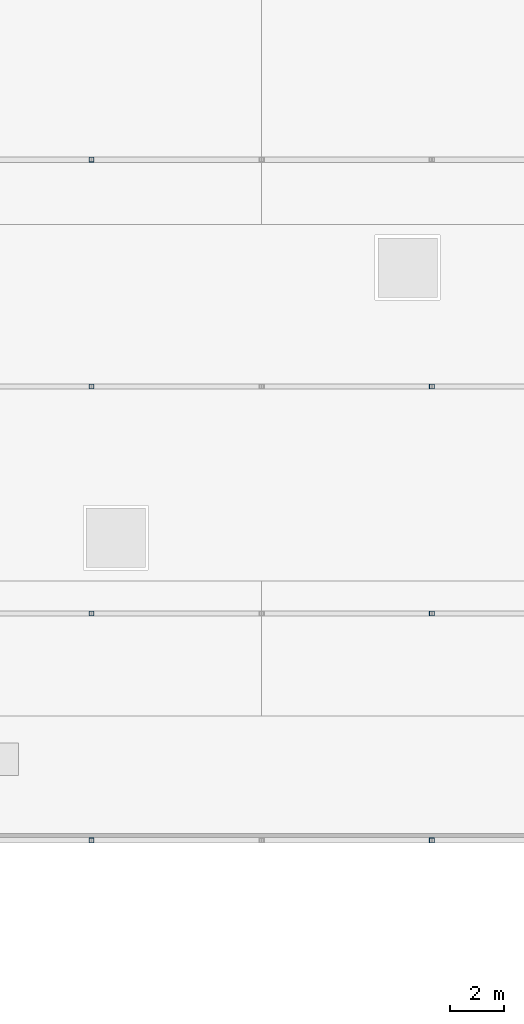
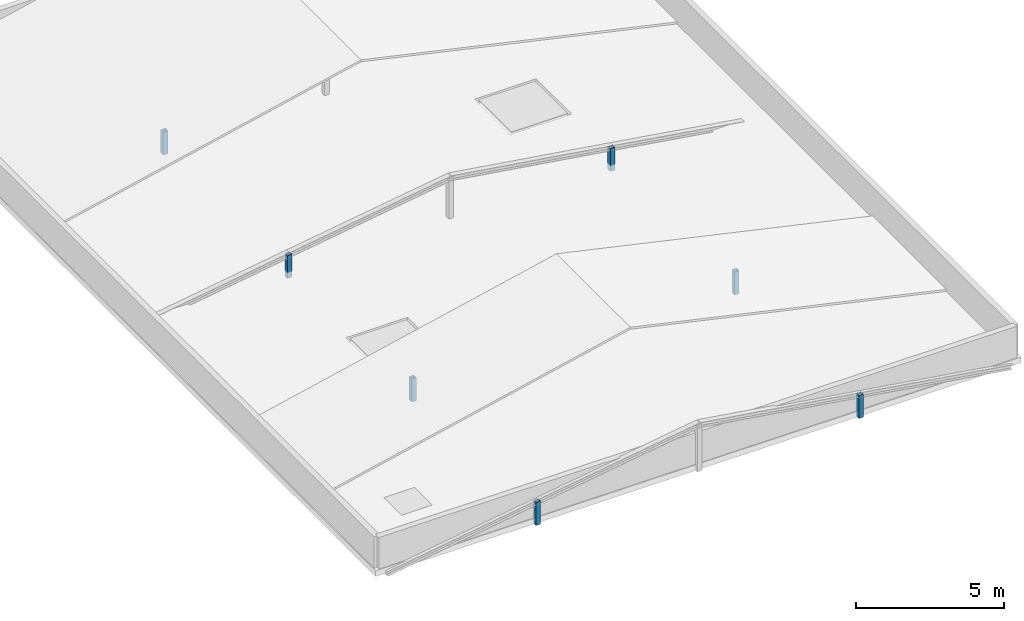
# One storey, part 12 of 21: 7 members.
"""IFC4 building model written with IfcOpenShell, lengths in metres."""

import ifcopenshell
import ifcopenshell.guid

model = None  # the IFC model being written
_history = None  # IfcOwnerHistory: only IFC2X3 demands one
_inside = {}  # id of a spatial element -> (the spatial element, [elements in it])
_under = {}  # id of a project, library or spatial element -> (it, [spatial elements below it])
_declared = {}  # id of a project -> (the project, [libraries it declares])
_typed = {}  # id of a type object -> (the type object, [elements of that type])
_made_of = {}  # id of a material, layer set ... -> (it, [elements and type objects made of it])


def new_model(schema):
    """Start an empty IFC model of exactly this schema.

    Asked for "IFC4X3", IfcOpenShell would pick the latest addendum, in which some entities
    have other attributes; the version numbers below select the first issue.
    IFC2X3 requires an IfcOwnerHistory on every rooted entity: one is made here for all.
    """
    global model, _history
    if schema == "IFC4X3":
        model = ifcopenshell.file(schema_version=(4, 3, 0, 0))
    else:
        model = ifcopenshell.file(schema=schema)
    _inside.clear()
    _under.clear()
    _declared.clear()
    _typed.clear()
    _made_of.clear()
    _history = None
    if model.schema == "IFC2X3":
        org = make("IfcOrganization", Name="unknown")
        user = make(
            "IfcPersonAndOrganization",
            ThePerson=make("IfcPerson", FamilyName="unknown"),
            TheOrganization=org,
        )
        app = make(
            "IfcApplication",
            ApplicationDeveloper=org,
            Version="unknown",
            ApplicationFullName="unknown",
            ApplicationIdentifier="unknown",
        )
        _history = make(
            "IfcOwnerHistory",
            OwningUser=user,
            OwningApplication=app,
            ChangeAction="ADDED",
            CreationDate=0,
        )
    return model


def make(cls, **values):
    """One entity of the class cls with the attributes given. An attribute that is None is left unset."""
    return model.create_entity(
        cls, **{name: value for name, value in values.items() if value is not None}
    )


def rooted(cls, **values):
    """An entity with a GlobalId (a new one), such as an element, a storey or a relation."""
    return make(cls, GlobalId=ifcopenshell.guid.new(), OwnerHistory=_history, **values)


def si_unit(unit_type, name, prefix=None):
    """IfcSIUnit, for example si_unit("LENGTHUNIT", "METRE", prefix="MILLI")."""
    return make("IfcSIUnit", UnitType=unit_type, Prefix=prefix, Name=name)


def assignment(units):
    """IfcUnitAssignment: the units of a project."""
    return None if units is None else make("IfcUnitAssignment", Units=units)


def point(xyz):
    """IfcCartesianPoint."""
    return None if xyz is None else make("IfcCartesianPoint", Coordinates=xyz)


def direction(xyz):
    """IfcDirection."""
    return None if xyz is None else make("IfcDirection", DirectionRatios=xyz)


def frame(location, z_axis=None, x_axis=None):
    """IfcAxis2Placement3D, a coordinate frame: its origin and axes. An axis left out is left unset."""
    return make(
        "IfcAxis2Placement3D",
        Location=point(location),
        Axis=direction(z_axis),
        RefDirection=direction(x_axis),
    )


def frame_2d(location, x_axis=None):
    """IfcAxis2Placement2D, a coordinate frame in the plane: its origin and x axis."""
    return make(
        "IfcAxis2Placement2D", Location=point(location), RefDirection=direction(x_axis)
    )


def origin():
    """The frame at (0, 0, 0) with its axes left unset."""
    return frame((0.0, 0.0, 0.0))


def origin_2d():
    """The frame at (0, 0) in the plane with its x axis left unset."""
    return frame_2d((0.0, 0.0))


def place(relative_to, where):
    """IfcLocalPlacement: puts the frame where relative to a parent placement (None: the world)."""
    return make(
        "IfcLocalPlacement", PlacementRelTo=relative_to, RelativePlacement=where
    )


def context(
    kind, dimensions, precision=None, world=None, true_north=None, identifier=None
):
    """IfcGeometricRepresentationContext, for example the 3D "Model" context."""
    return make(
        "IfcGeometricRepresentationContext",
        ContextIdentifier=identifier,
        ContextType=kind,
        CoordinateSpaceDimension=dimensions,
        Precision=precision,
        WorldCoordinateSystem=world,
        TrueNorth=true_north,
    )


def subcontext(parent, identifier, kind, view, scale=None):
    """IfcGeometricRepresentationSubContext, for example "Body" below "Model"."""
    return make(
        "IfcGeometricRepresentationSubContext",
        ContextIdentifier=identifier,
        ContextType=kind,
        ParentContext=parent,
        TargetScale=scale,
        TargetView=view,
    )


def project(units=None, contexts=None):
    """IfcProject with its units and contexts."""
    return rooted(
        "IfcProject",
        Name="project",
        RepresentationContexts=contexts,
        UnitsInContext=assignment(units),
    )


def spatial(cls, under=None, at=None, **own):
    """A site, building, storey or space (cls), placed at a placement, below another one or the project."""
    s = rooted(cls, ObjectPlacement=at, **own)
    if under is not None:
        _under.setdefault(under.id(), (under, []))[1].append(s)
    return s


def profile(cls, at=None, kind="AREA", **sizes):
    """A parametric profile (cls). Its sizes go by their IFC names, for example OverallWidth=200.0."""
    return make(cls, ProfileType=kind, Position=at, **sizes)


def hollow_rectangle(**sizes):
    """IfcRectangleHollowProfileDef."""
    return profile("IfcRectangleHollowProfileDef", **sizes)


def extrude(swept, where, along, depth):
    """IfcExtrudedAreaSolid: the profile swept, set in the frame where, extruded along a direction by depth."""
    return make(
        "IfcExtrudedAreaSolid",
        SweptArea=swept,
        Position=where,
        ExtrudedDirection=direction(along),
        Depth=depth,
    )


def shape(context_of_items, identifier, shape_type, items):
    """IfcShapeRepresentation: the items that make up one representation, for example the "Body"."""
    return make(
        "IfcShapeRepresentation",
        ContextOfItems=context_of_items,
        RepresentationIdentifier=identifier,
        RepresentationType=shape_type,
        Items=items,
    )


def material(Name=None, Category=None):
    """IfcMaterial."""
    return make("IfcMaterial", Name=Name, Category=Category)


def material_profile(
    of_material, cross_section, Name=None, Category=None, Priority=None
):
    """IfcMaterialProfile: a cross section and its material."""
    return make(
        "IfcMaterialProfile",
        Name=Name,
        Material=of_material,
        Profile=cross_section,
        Priority=Priority,
        Category=Category,
    )


def profile_set(profiles, Name=None, composite=None):
    """IfcMaterialProfileSet."""
    return make(
        "IfcMaterialProfileSet",
        Name=Name,
        MaterialProfiles=profiles,
        CompositeProfile=composite,
    )


def made_of(thing, what):
    """Note that an element or type object is made of a material, layer set ...; save() writes the relation."""
    if what is not None:
        _made_of.setdefault(what.id(), (what, []))[1].append(thing)
    return thing


def type_object(cls, material=None, **own):
    """A type object (cls), such as IfcWallType, which elements share."""
    return made_of(rooted(cls, **own), material)


def element(
    cls,
    number,
    at=None,
    inside=None,
    cuts=None,
    type_object=None,
    material=None,
    context=None,
    identifier="Body",
    shape_type=None,
    held_by="IfcProductDefinitionShape",
    body=None,
    shapes=None,
    **own,
):
    """One element of the class cls, such as IfcWall. Its Tag is "e" and its number.

    at: its placement. inside: the storey or other place that contains it. cuts: it is an
    opening in that element (IfcRelVoidsElement). A single representation is given by context,
    identifier, shape_type and body (its items); several are given by shapes. held_by: the class
    of the entity that holds the representations. save() writes the other relations.
    """
    e = rooted(cls, Tag="e%d" % number, ObjectPlacement=at, **own)
    if body is not None:
        shapes = [shape(context, identifier, shape_type, body)]
    if shapes is not None:
        e.Representation = make(held_by, Representations=shapes)
    if inside is not None:
        _inside.setdefault(inside.id(), (inside, []))[1].append(e)
    if cuts is not None:
        rooted(
            "IfcRelVoidsElement", RelatingBuildingElement=cuts, RelatedOpeningElement=e
        )
    if type_object is not None:
        _typed.setdefault(type_object.id(), (type_object, []))[1].append(e)
    return made_of(e, material)


def aggregate(whole, parts):
    """IfcRelAggregates: a whole, such as a stair, and the parts it consists of."""
    return rooted("IfcRelAggregates", RelatingObject=whole, RelatedObjects=parts)


def save(model, path):
    """Write the relations noted so far, then the file.

    IfcRelAggregates (storeys below a building ...), IfcRelContainedInSpatialStructure (elements
    in a storey), IfcRelDefinesByType, IfcRelAssociatesMaterial and IfcRelDeclares: one each for
    every whole, place, type object, material and project.
    """
    for whole, parts in _under.values():
        aggregate(whole, parts)
    for where, things in _inside.values():
        rooted(
            "IfcRelContainedInSpatialStructure",
            RelatedElements=things,
            RelatingStructure=where,
        )
    for kind, things in _typed.values():
        rooted("IfcRelDefinesByType", RelatedObjects=things, RelatingType=kind)
    for what, things in _made_of.values():
        rooted("IfcRelAssociatesMaterial", RelatedObjects=things, RelatingMaterial=what)
    for by, libraries in _declared.values():
        rooted("IfcRelDeclares", RelatingContext=by, RelatedDefinitions=libraries)
    model.write(path)


model = new_model("IFC4")

# Units and contexts
model_context = context("Model", 3, precision=1e-05, world=origin(), true_north=direction((0.0, 1.0)))
body_context = subcontext(model_context, "Body", "Model", "MODEL_VIEW")
ifc_project = project(units=[si_unit("LENGTHUNIT", "METRE"), si_unit("AREAUNIT", "SQUARE_METRE"), si_unit("VOLUMEUNIT", "CUBIC_METRE"), si_unit("PLANEANGLEUNIT", "RADIAN"), si_unit("MASSUNIT", "GRAM", prefix="KILO")], contexts=[model_context])

# Site, building, storey
site_placement = place(None, origin())
site = spatial("IfcSite", under=ifc_project, at=site_placement, CompositionType="ELEMENT")
building_placement = place(site_placement, origin())
building = spatial("IfcBuilding", under=site, at=building_placement, Name="Xuanlan Plaza Opera House", CompositionType="ELEMENT")
storey_placement = place(building_placement, frame((0.0, 0.0, 44.699951171875)))
storey = spatial("IfcBuildingStorey", under=building, at=storey_placement, Name="L10", CompositionType="ELEMENT", Elevation=44.699951171875)

# Members
ifc_material = material(Name="Steel Q355B", Category="steel")
ifc_material_profile = material_profile(ifc_material, hollow_rectangle(XDim=0.179931640625, YDim=0.179931640625, WallThickness=0.010009765625, at=origin_2d()), Name="SHS 180x180x10")
ifc_profile_set = profile_set([ifc_material_profile], Name="Steel Q355B")
member_type = type_object("IfcMemberType", Name="STR-MEM-ST-M2", PredefinedType="STRUT", material=ifc_profile_set)
for number, where, z_axis, x_axis, name in (
    (1, (48.300048828125, 42.0, -0.25), (0.0, 0.0, 1.0), (1.0, 0.0, 0.0), "Fly Tower Crown Support Post 01-W1"),
    (2, (60.89990234375, 42.0, -0.25), (0.0, 0.0, 1.0), (1.0, 0.0, 0.0), "Fly Tower Crown Support Post 01-E1"),
    (3, (48.300048828125, 50.39990234375, -0.25), (0.0, 0.0, 1.0), (1.0, 0.0, 0.0), "Fly Tower Crown Support Post 02-W1"),
    (4, (60.89990234375, 50.39990234375, -0.25), (0.0, 0.0, 1.0), (1.0, 0.0, 0.0), "Fly Tower Crown Support Post 02-E1"),
    (5, (48.300048828125, 58.800048828125, -0.25), (0.0, 0.0, 1.0), (1.0, 0.0, 0.0), "Fly Tower Crown Support Post 03-W1"),
    (6, (60.89990234375, 58.800048828125, -0.25), (0.0, 0.0, 1.0), (1.0, 0.0, 0.0), "Fly Tower Crown Support Post 03-E1"),
    (7, (48.300048828125, 67.199951171875, -0.25), (0.0, 0.0, 1.0), (1.0, 0.0, 0.0), "Fly Tower Crown Support Post 04-W1"),
):
    element("IfcMember", number, at=place(storey_placement, frame(where, z_axis=z_axis, x_axis=x_axis)), inside=storey, type_object=member_type, Name=name, PredefinedType="STRUT", context=body_context, shape_type="SweptSolid", body=[
        extrude(hollow_rectangle(XDim=0.179931640625, YDim=0.179931640625, WallThickness=0.010009765625, at=origin_2d()), origin(), (0.0, 0.0, 1.0), 0.949951171875),
    ])

save(model, "model.ifc")
